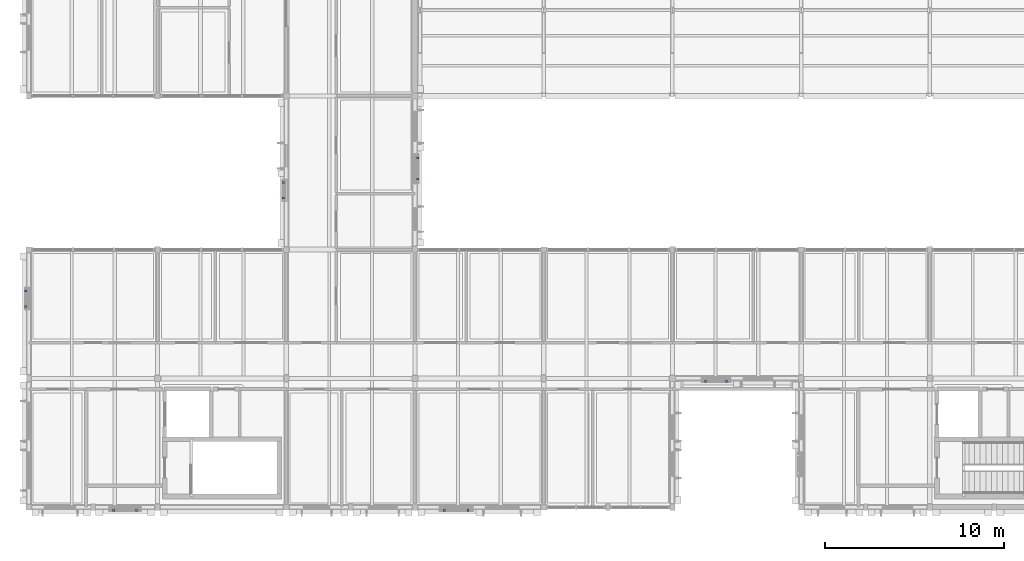
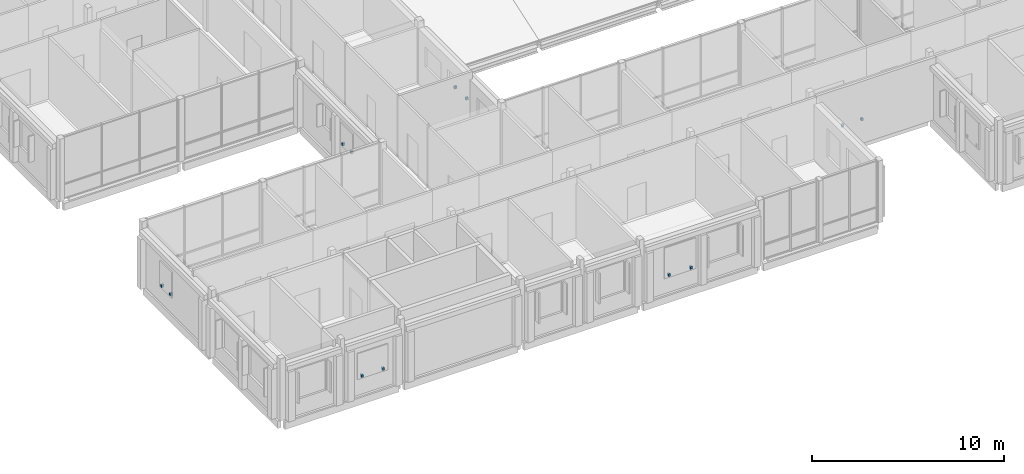
# One storey, part 97 of 115: 12 discrete accessories.
"""IFC4 building model written with IfcOpenShell, lengths in metres."""

import ifcopenshell
import ifcopenshell.guid

model = None  # the IFC model being written
_history = None  # IfcOwnerHistory: only IFC2X3 demands one
_inside = {}  # id of a spatial element -> (the spatial element, [elements in it])
_under = {}  # id of a project, library or spatial element -> (it, [spatial elements below it])
_declared = {}  # id of a project -> (the project, [libraries it declares])
_typed = {}  # id of a type object -> (the type object, [elements of that type])
_made_of = {}  # id of a material, layer set ... -> (it, [elements and type objects made of it])


def new_model(schema):
    """Start an empty IFC model of exactly this schema.

    Asked for "IFC4X3", IfcOpenShell would pick the latest addendum, in which some entities
    have other attributes; the version numbers below select the first issue.
    IFC2X3 requires an IfcOwnerHistory on every rooted entity: one is made here for all.
    """
    global model, _history
    if schema == "IFC4X3":
        model = ifcopenshell.file(schema_version=(4, 3, 0, 0))
    else:
        model = ifcopenshell.file(schema=schema)
    _inside.clear()
    _under.clear()
    _declared.clear()
    _typed.clear()
    _made_of.clear()
    _history = None
    if model.schema == "IFC2X3":
        org = make("IfcOrganization", Name="unknown")
        user = make(
            "IfcPersonAndOrganization",
            ThePerson=make("IfcPerson", FamilyName="unknown"),
            TheOrganization=org,
        )
        app = make(
            "IfcApplication",
            ApplicationDeveloper=org,
            Version="unknown",
            ApplicationFullName="unknown",
            ApplicationIdentifier="unknown",
        )
        _history = make(
            "IfcOwnerHistory",
            OwningUser=user,
            OwningApplication=app,
            ChangeAction="ADDED",
            CreationDate=0,
        )
    return model


def make(cls, **values):
    """One entity of the class cls with the attributes given. An attribute that is None is left unset."""
    return model.create_entity(
        cls, **{name: value for name, value in values.items() if value is not None}
    )


def rooted(cls, **values):
    """An entity with a GlobalId (a new one), such as an element, a storey or a relation."""
    return make(cls, GlobalId=ifcopenshell.guid.new(), OwnerHistory=_history, **values)


def si_unit(unit_type, name, prefix=None):
    """IfcSIUnit, for example si_unit("LENGTHUNIT", "METRE", prefix="MILLI")."""
    return make("IfcSIUnit", UnitType=unit_type, Prefix=prefix, Name=name)


def assignment(units):
    """IfcUnitAssignment: the units of a project."""
    return None if units is None else make("IfcUnitAssignment", Units=units)


def point(xyz):
    """IfcCartesianPoint."""
    return None if xyz is None else make("IfcCartesianPoint", Coordinates=xyz)


def direction(xyz):
    """IfcDirection."""
    return None if xyz is None else make("IfcDirection", DirectionRatios=xyz)


def frame(location, z_axis=None, x_axis=None):
    """IfcAxis2Placement3D, a coordinate frame: its origin and axes. An axis left out is left unset."""
    return make(
        "IfcAxis2Placement3D",
        Location=point(location),
        Axis=direction(z_axis),
        RefDirection=direction(x_axis),
    )


def frame_2d(location, x_axis=None):
    """IfcAxis2Placement2D, a coordinate frame in the plane: its origin and x axis."""
    return make(
        "IfcAxis2Placement2D", Location=point(location), RefDirection=direction(x_axis)
    )


def origin():
    """The frame at (0, 0, 0) with its axes left unset."""
    return frame((0.0, 0.0, 0.0))


def origin_2d():
    """The frame at (0, 0) in the plane with its x axis left unset."""
    return frame_2d((0.0, 0.0))


def place(relative_to, where):
    """IfcLocalPlacement: puts the frame where relative to a parent placement (None: the world)."""
    return make(
        "IfcLocalPlacement", PlacementRelTo=relative_to, RelativePlacement=where
    )


def context(
    kind, dimensions, precision=None, world=None, true_north=None, identifier=None
):
    """IfcGeometricRepresentationContext, for example the 3D "Model" context."""
    return make(
        "IfcGeometricRepresentationContext",
        ContextIdentifier=identifier,
        ContextType=kind,
        CoordinateSpaceDimension=dimensions,
        Precision=precision,
        WorldCoordinateSystem=world,
        TrueNorth=true_north,
    )


def subcontext(parent, identifier, kind, view, scale=None):
    """IfcGeometricRepresentationSubContext, for example "Body" below "Model"."""
    return make(
        "IfcGeometricRepresentationSubContext",
        ContextIdentifier=identifier,
        ContextType=kind,
        ParentContext=parent,
        TargetScale=scale,
        TargetView=view,
    )


def project(units=None, contexts=None):
    """IfcProject with its units and contexts."""
    return rooted(
        "IfcProject",
        Name="project",
        RepresentationContexts=contexts,
        UnitsInContext=assignment(units),
    )


def spatial(cls, under=None, at=None, **own):
    """A site, building, storey or space (cls), placed at a placement, below another one or the project."""
    s = rooted(cls, ObjectPlacement=at, **own)
    if under is not None:
        _under.setdefault(under.id(), (under, []))[1].append(s)
    return s


def profile(cls, at=None, kind="AREA", **sizes):
    """A parametric profile (cls). Its sizes go by their IFC names, for example OverallWidth=200.0."""
    return make(cls, ProfileType=kind, Position=at, **sizes)


def rectangle(**sizes):
    """IfcRectangleProfileDef."""
    return profile("IfcRectangleProfileDef", **sizes)


def extrude(swept, where, along, depth):
    """IfcExtrudedAreaSolid: the profile swept, set in the frame where, extruded along a direction by depth."""
    return make(
        "IfcExtrudedAreaSolid",
        SweptArea=swept,
        Position=where,
        ExtrudedDirection=direction(along),
        Depth=depth,
    )


def shape(context_of_items, identifier, shape_type, items):
    """IfcShapeRepresentation: the items that make up one representation, for example the "Body"."""
    return make(
        "IfcShapeRepresentation",
        ContextOfItems=context_of_items,
        RepresentationIdentifier=identifier,
        RepresentationType=shape_type,
        Items=items,
    )


def material(Name=None, Category=None):
    """IfcMaterial."""
    return make("IfcMaterial", Name=Name, Category=Category)


def made_of(thing, what):
    """Note that an element or type object is made of a material, layer set ...; save() writes the relation."""
    if what is not None:
        _made_of.setdefault(what.id(), (what, []))[1].append(thing)
    return thing


def type_object(cls, material=None, **own):
    """A type object (cls), such as IfcWallType, which elements share."""
    return made_of(rooted(cls, **own), material)


def element(
    cls,
    number,
    at=None,
    inside=None,
    cuts=None,
    type_object=None,
    material=None,
    context=None,
    identifier="Body",
    shape_type=None,
    held_by="IfcProductDefinitionShape",
    body=None,
    shapes=None,
    **own,
):
    """One element of the class cls, such as IfcWall. Its Tag is "e" and its number.

    at: its placement. inside: the storey or other place that contains it. cuts: it is an
    opening in that element (IfcRelVoidsElement). A single representation is given by context,
    identifier, shape_type and body (its items); several are given by shapes. held_by: the class
    of the entity that holds the representations. save() writes the other relations.
    """
    e = rooted(cls, Tag="e%d" % number, ObjectPlacement=at, **own)
    if body is not None:
        shapes = [shape(context, identifier, shape_type, body)]
    if shapes is not None:
        e.Representation = make(held_by, Representations=shapes)
    if inside is not None:
        _inside.setdefault(inside.id(), (inside, []))[1].append(e)
    if cuts is not None:
        rooted(
            "IfcRelVoidsElement", RelatingBuildingElement=cuts, RelatedOpeningElement=e
        )
    if type_object is not None:
        _typed.setdefault(type_object.id(), (type_object, []))[1].append(e)
    return made_of(e, material)


def aggregate(whole, parts):
    """IfcRelAggregates: a whole, such as a stair, and the parts it consists of."""
    return rooted("IfcRelAggregates", RelatingObject=whole, RelatedObjects=parts)


def save(model, path):
    """Write the relations noted so far, then the file.

    IfcRelAggregates (storeys below a building ...), IfcRelContainedInSpatialStructure (elements
    in a storey), IfcRelDefinesByType, IfcRelAssociatesMaterial and IfcRelDeclares: one each for
    every whole, place, type object, material and project.
    """
    for whole, parts in _under.values():
        aggregate(whole, parts)
    for where, things in _inside.values():
        rooted(
            "IfcRelContainedInSpatialStructure",
            RelatedElements=things,
            RelatingStructure=where,
        )
    for kind, things in _typed.values():
        rooted("IfcRelDefinesByType", RelatedObjects=things, RelatingType=kind)
    for what, things in _made_of.values():
        rooted("IfcRelAssociatesMaterial", RelatedObjects=things, RelatingMaterial=what)
    for by, libraries in _declared.values():
        rooted("IfcRelDeclares", RelatingContext=by, RelatedDefinitions=libraries)
    model.write(path)


model = new_model("IFC4")

# Units and contexts
model_context = context("Model", 3, precision=1e-05, world=origin(), true_north=direction((0.0, 1.0)))
body_context = subcontext(model_context, "Body", "Model", "MODEL_VIEW")
ifc_project = project(units=[si_unit("LENGTHUNIT", "METRE"), si_unit("AREAUNIT", "SQUARE_METRE"), si_unit("VOLUMEUNIT", "CUBIC_METRE"), si_unit("PLANEANGLEUNIT", "RADIAN"), si_unit("MASSUNIT", "GRAM", prefix="KILO")], contexts=[model_context])

# Site, building, storey
site_placement = place(None, origin())
site = spatial("IfcSite", under=ifc_project, at=site_placement, CompositionType="ELEMENT")
building_placement = place(site_placement, origin())
building = spatial("IfcBuilding", under=site, at=building_placement, Name="Hawrajan Terrace Health Centre", CompositionType="ELEMENT")
storey_placement = place(building_placement, frame((0.0, 0.0, 9.0)))
storey = spatial("IfcBuildingStorey", under=building, at=storey_placement, Name="L02", CompositionType="ELEMENT", Elevation=9.0)

# Discrete accessories
ifc_material = material(Name="Steel S355", Category="steel")
discrete_accessory_type = type_object("IfcDiscreteAccessoryType", Name="FacadeBracket_S355", PredefinedType="BRACKET", material=ifc_material)
for number, where, z_axis, x_axis, name in (
    (1, (9.35302734375, 4.034912109375, 1.1201171875), (0.0, 0.0, 1.0), (1.0, 0.0, 0.0), "Roshan support bracket BRK-L02-129-1"),
    (2, (10.626953125, 4.034912109375, 1.1201171875), (0.0, 0.0, 1.0), (1.0, 0.0, 0.0), "Roshan support bracket BRK-L02-129-2"),
    (3, (4.43505859375, 15.4189453125, 1.1201171875), (0.0, 0.0, 1.0), (0.0, 1.0, 0.0), "Roshan support bracket BRK-L02-134-1"),
    (4, (4.43505859375, 16.301025390625, 1.1201171875), (0.0, 0.0, 1.0), (0.0, 1.0, 0.0), "Roshan support bracket BRK-L02-134-2"),
    (5, (18.8349609375, 21.487548828125, 1.419921875), (0.0, 0.0, 1.0), (0.0, 1.0, 0.0), "Roshan support bracket BRK-L02-151-1"),
    (6, (18.8349609375, 22.362548828125, 1.419921875), (0.0, 0.0, 1.0), (0.0, 1.0, 0.0), "Roshan support bracket BRK-L02-151-2"),
    (7, (26.364990234375, 22.547119140625, 1.56982421875), (0.0, 0.0, 1.0), (0.0, 1.0, 0.0), "Roshan support bracket BRK-L02-156-1"),
    (8, (26.364990234375, 23.72314453125, 1.56982421875), (0.0, 0.0, 1.0), (0.0, 1.0, 0.0), "Roshan support bracket BRK-L02-156-2"),
    (9, (27.8349609375, 4.034912109375, 1.06982421875), (0.0, 0.0, 1.0), (1.0, 0.0, 0.0), "Roshan support bracket BRK-L02-162-1"),
    (10, (29.1650390625, 4.034912109375, 1.06982421875), (0.0, 0.0, 1.0), (1.0, 0.0, 0.0), "Roshan support bracket BRK-L02-162-2"),
    (11, (42.458984375, 11.235107421875, 1.06982421875), (0.0, 0.0, 1.0), (1.0, 0.0, 0.0), "Roshan support bracket BRK-L02-169-1"),
    (12, (43.62109375, 11.235107421875, 1.06982421875), (0.0, 0.0, 1.0), (1.0, 0.0, 0.0), "Roshan support bracket BRK-L02-169-2"),
):
    element("IfcDiscreteAccessory", number, at=place(storey_placement, frame(where, z_axis=z_axis, x_axis=x_axis)), inside=storey, type_object=discrete_accessory_type, Name=name, PredefinedType="BRACKET", context=body_context, shape_type="SweptSolid", body=[
        extrude(rectangle(XDim=0.1201171875, YDim=0.139892578125, at=origin_2d()), origin(), (0.0, 0.0, 1.0), 0.159912109375),
    ])

save(model, "model.ifc")
